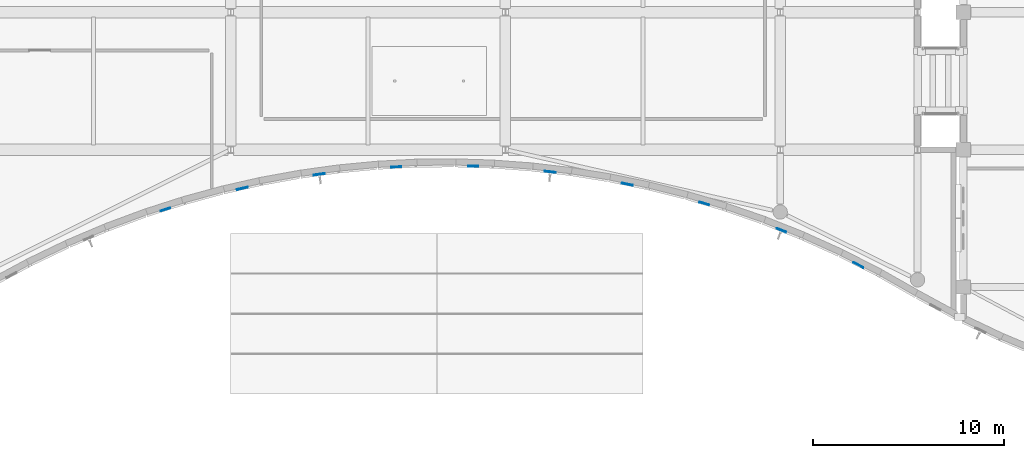
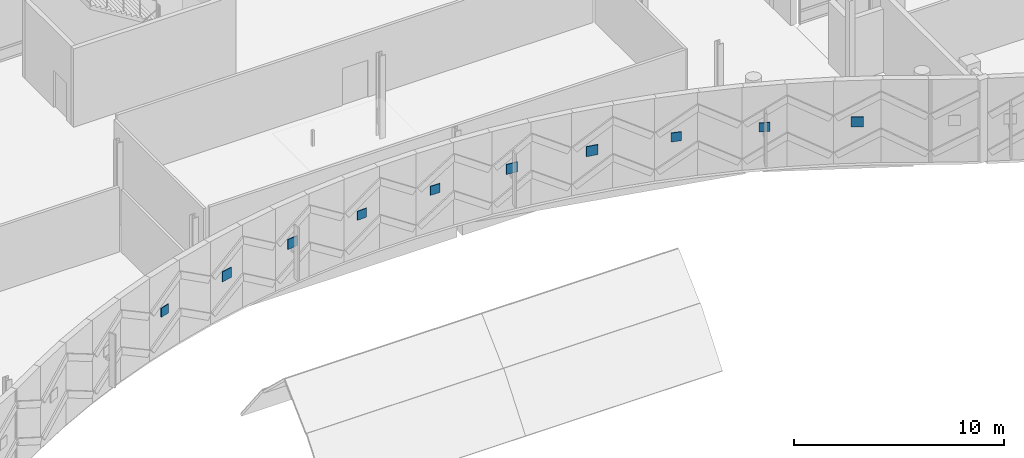
# One storey, part 127 of 193: 10 plates.
"""IFC4 building model written with IfcOpenShell, lengths in metres."""

from ifc_helpers import new_model, si_unit, direction, frame, origin, origin_2d, place, context, subcontext, project, spatial, rectangle, extrude, material, layer, layer_set, type_object, element, save


model = new_model("IFC4")

# Units and contexts
model_context = context("Model", 3, precision=1e-05, world=origin(), true_north=direction((0.0, 1.0)))
body_context = subcontext(model_context, "Body", "Model", "MODEL_VIEW")
ifc_project = project(units=[si_unit("LENGTHUNIT", "METRE"), si_unit("AREAUNIT", "SQUARE_METRE"), si_unit("VOLUMEUNIT", "CUBIC_METRE"), si_unit("PLANEANGLEUNIT", "RADIAN"), si_unit("MASSUNIT", "GRAM", prefix="KILO")], contexts=[model_context])

# Site, building, storey
site_placement = place(None, origin())
site = spatial("IfcSite", under=ifc_project, at=site_placement, CompositionType="ELEMENT")
building_placement = place(site_placement, origin())
building = spatial("IfcBuilding", under=site, at=building_placement, Name="Cendralis Lancet Convention Centre", CompositionType="ELEMENT")
storey_placement = place(building_placement, frame((0.0, 0.0, 10.199951171875)))
storey = spatial("IfcBuildingStorey", under=building, at=storey_placement, Name="L02", CompositionType="ELEMENT", Elevation=10.199951171875)

# Plates
ifc_material_1 = material(Name="Warm buff sandstone chevron cassette", Category="masonry")
ifc_layer_1 = layer(ifc_material_1, 0.044921875, Name="Warm buff sandstone chevron cassette")
ifc_layer_set_1 = layer_set([ifc_layer_1], Name="Warm buff sandstone chevron cassette")
plate_type_1 = type_object("IfcPlateType", Name="ARC-PL-CHV1", PredefinedType="SHEET", material=ifc_layer_set_1)
for number, where, z_axis, x_axis, name in (
    (1, (94.21435546875, 12.3671875, 2.130126953125), (0.0, 0.0, 1.0), (0.975261365164, 0.221054901821, 0.0), "Chevron Keystone Cassette CHV-S1 #0071"),
    (2, (110.353515625, 13.230712890625, 2.130126953125), (0.0, 0.0, 1.0), (0.99322754702, -0.116185368447, 0.0), "Chevron Keystone Cassette CHV-S1 #0083"),
    (3, (126.492919921875, 8.34619140625, 2.130126953125), (0.0, 0.0, 1.0), (0.891061982941, -0.453881639369, 0.0), "Chevron Keystone Cassette CHV-S1 #0095"),
):
    element("IfcPlate", number, at=place(storey_placement, frame(where, z_axis=z_axis, x_axis=x_axis)), inside=storey, type_object=plate_type_1, Name=name, PredefinedType="SHEET", context=body_context, shape_type="SweptSolid", body=[
        extrude(rectangle(XDim=0.580078125, YDim=0.044921875, at=origin_2d()), origin(), (0.0, 0.0, 1.0), 0.580078125),
    ])
ifc_material_2 = material(Name="Dark Andean slate chevron cassette", Category="masonry")
ifc_layer_2 = layer(ifc_material_2, 0.048095703125, Name="Dark Andean slate chevron cassette")
ifc_layer_set_2 = layer_set([ifc_layer_2], Name="Dark Andean slate chevron cassette")
plate_type_2 = type_object("IfcPlateType", Name="ARC-PL-CHV2", PredefinedType="SHEET", material=ifc_layer_set_2)
for number, where, z_axis, x_axis, name in (
    (4, (98.248779296875, 13.102783203125, 2.130126953125), (0.0, 0.0, 1.0), (0.990576513035, 0.136960475405, 0.0), "Chevron Keystone Cassette CHV-D1 #0074"),
    (5, (114.388427734375, 12.582275390625, 2.130126953125), (0.0, 0.0, 1.0), (0.97963837175, -0.200770168587, 0.0), "Chevron Keystone Cassette CHV-D1 #0086"),
):
    element("IfcPlate", number, at=place(storey_placement, frame(where, z_axis=z_axis, x_axis=x_axis)), inside=storey, type_object=plate_type_2, Name=name, PredefinedType="SHEET", context=body_context, shape_type="SweptSolid", body=[
        extrude(rectangle(XDim=0.580078125, YDim=0.048095703125, at=origin_2d()), origin(), (0.0, 0.0, 1.0), 0.580078125),
    ])
ifc_layer_3 = layer(ifc_material_1, 0.044921875, Name="Warm buff sandstone chevron cassette")
ifc_layer_set_3 = layer_set([ifc_layer_3], Name="Warm buff sandstone chevron cassette")
plate_type_3 = type_object("IfcPlateType", Name="ARC-PL-CHV3", PredefinedType="SHEET", material=ifc_layer_set_3)
for number, where, z_axis, x_axis, name in (
    (6, (102.2841796875, 13.48779296875, 2.16015625), (0.0, 0.0, 1.0), (0.998606603824, 0.052771685582, 0.0), "Chevron Keystone Cassette CHV-S2 #0077"),
    (7, (118.423095703125, 11.5712890625, 2.16015625), (0.0, 0.0, 1.0), (0.958447138302, -0.285270193117, 0.0), "Chevron Keystone Cassette CHV-S2 #0089"),
):
    element("IfcPlate", number, at=place(storey_placement, frame(where, z_axis=z_axis, x_axis=x_axis)), inside=storey, type_object=plate_type_3, Name=name, PredefinedType="SHEET", context=body_context, shape_type="SweptSolid", body=[
        extrude(rectangle(XDim=0.52001953125, YDim=0.044921875, at=origin_2d()), origin(), (0.0, 0.0, 1.0), 0.52001953125),
    ])
ifc_layer_4 = layer(ifc_material_2, 0.048095703125, Name="Dark Andean slate chevron cassette")
ifc_layer_set_4 = layer_set([ifc_layer_4], Name="Dark Andean slate chevron cassette")
plate_type_4 = type_object("IfcPlateType", Name="ARC-PL-CHV4", PredefinedType="SHEET", material=ifc_layer_set_4)
for number, where, z_axis, x_axis, name in (
    (8, (90.17919921875, 11.262451171875, 2.16015625), (0.0, 0.0, 1.0), (0.952011943986, 0.306060873861, 0.0), "Chevron Keystone Cassette CHV-D2 #0068"),
    (9, (106.318603515625, 13.530029296875, 2.16015625), (0.0, 0.0, 1.0), (0.999501062931, -0.031585205403, 0.0), "Chevron Keystone Cassette CHV-D2 #0080"),
    (10, (122.458251953125, 10.171630859375, 2.16015625), (0.0, 0.0, 1.0), (0.929268028387, -0.369406187572, 0.0), "Chevron Keystone Cassette CHV-D2 #0092"),
):
    element("IfcPlate", number, at=place(storey_placement, frame(where, z_axis=z_axis, x_axis=x_axis)), inside=storey, type_object=plate_type_4, Name=name, PredefinedType="SHEET", context=body_context, shape_type="SweptSolid", body=[
        extrude(rectangle(XDim=0.52001953125, YDim=0.048095703125, at=origin_2d()), origin(), (0.0, 0.0, 1.0), 0.52001953125),
    ])

save(model, "model.ifc")
